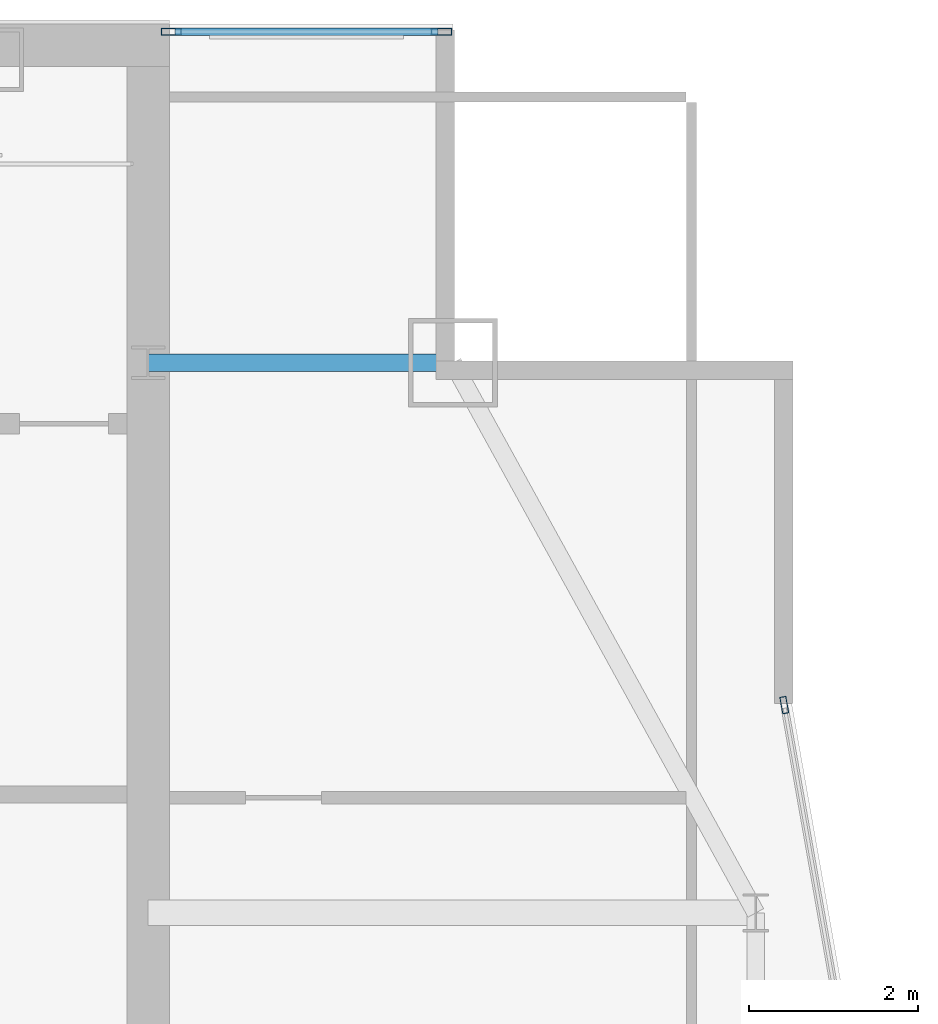
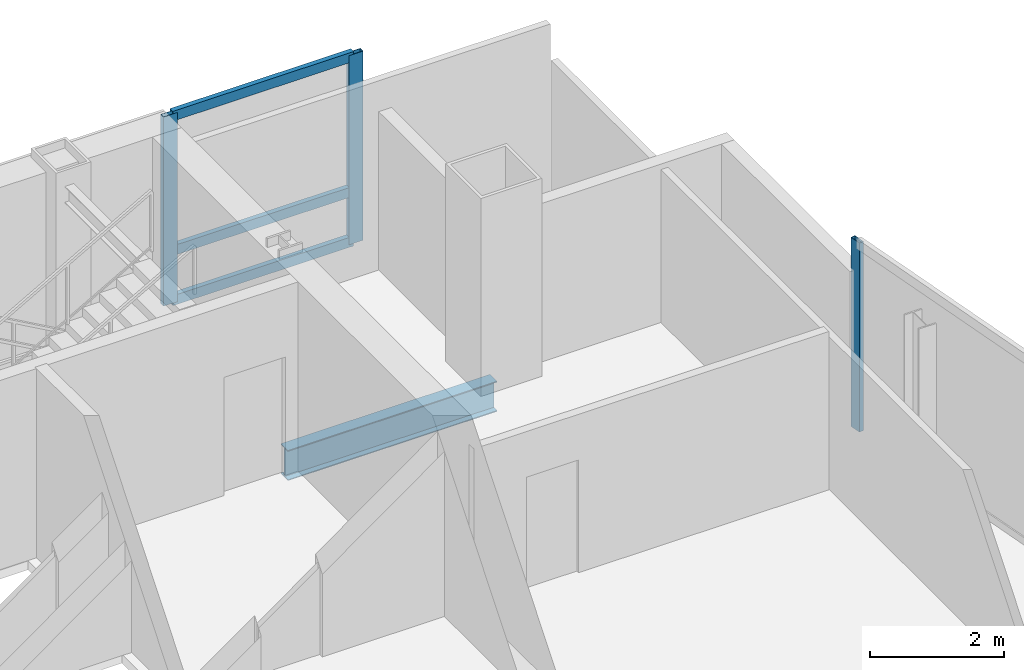
# One storey, part 23 of 30: 6 members, 1 beam, 2 elements without a shape of their own.
"""IFC4 building model written with IfcOpenShell, lengths in metres."""

from ifc_helpers import new_model, si_unit, direction, frame, origin, origin_2d, place, context, subcontext, project, spatial, hollow_rectangle, i_section, extrude, material, material_profile, profile_set, type_object, element, aggregate, save


model = new_model("IFC4")

# Units and contexts
model_context = context("Model", 3, precision=1e-05, world=origin(), true_north=direction((0.0, 1.0)))
body_context = subcontext(model_context, "Body", "Model", "MODEL_VIEW")
ifc_project = project(units=[si_unit("LENGTHUNIT", "METRE"), si_unit("AREAUNIT", "SQUARE_METRE"), si_unit("VOLUMEUNIT", "CUBIC_METRE"), si_unit("PLANEANGLEUNIT", "RADIAN"), si_unit("MASSUNIT", "GRAM", prefix="KILO")], contexts=[model_context])

# Site, building, storey
site_placement = place(None, origin())
site = spatial("IfcSite", under=ifc_project, at=site_placement, CompositionType="ELEMENT")
building_placement = place(site_placement, origin())
building = spatial("IfcBuilding", under=site, at=building_placement, Name="Khoronbel Lancet Exchange", CompositionType="ELEMENT")
storey_placement = place(building_placement, frame((0.0, 0.0, 277.0)))
storey = spatial("IfcBuildingStorey", under=building, at=storey_placement, Name="L71", CompositionType="ELEMENT", Elevation=277.0)

# Beam
ifc_material_1 = material(Name="Steel S355", Category="steel")
ifc_material_profile_1 = material_profile(ifc_material_1, i_section(OverallWidth=0.2099609375, OverallDepth=0.550048828125, WebThickness=0.010986328125, FlangeThickness=0.01708984375, at=origin_2d()), Name="IPE 550")
ifc_profile_set_1 = profile_set([ifc_material_profile_1], Name="Steel S355")
beam_type = type_object("IfcBeamType", Name="BM-BSP3", PredefinedType="SPANDREL", material=ifc_profile_set_1)
beam_placement = place(storey_placement, frame((60.050048828125, 49.699951171875, -0.43505859375), z_axis=(-1.0, 0.0, 0.0), x_axis=(0.0, -1.0, 0.0)))
element("IfcBeam", 1, at=beam_placement, inside=storey, type_object=beam_type, Name="Level L71 north flank tie spandrel SP23", PredefinedType="SPANDREL", context=body_context, shape_type="SweptSolid", body=[
    extrude(i_section(OverallWidth=0.2099609375, OverallDepth=0.550048828125, WebThickness=0.010986328125, FlangeThickness=0.01708984375, at=origin_2d()), origin(), (0.0, 0.0, 1.0), 3.60009765625),
])

# Curtain wall, members
ifc_material_2 = material(Name="Low-E Solar Control Insulating Glass", Category="glass")
curtain_wall_type_1 = type_object("IfcCurtainWallType", Name="CW-3", PredefinedType="NOTDEFINED", material=ifc_material_2)
curtain_wall_1_placement = place(storey_placement, origin())
curtain_wall_1 = element("IfcCurtainWall", 2, at=curtain_wall_1_placement, inside=storey, type_object=curtain_wall_type_1, Name="Unitised curtain wall CW-L71-NEFLK", PredefinedType="NOTDEFINED")
ifc_material_3 = material(Name="Bronze-Anodised Aluminium 6063-T6", Category="aluminium")
ifc_material_profile_2 = material_profile(ifc_material_3, hollow_rectangle(XDim=0.0849609375, YDim=0.239990234375, WallThickness=0.006103515625, at=origin_2d()), Name="ALU MULLION 85x240")
ifc_profile_set_2 = profile_set([ifc_material_profile_2], Name="Bronze-Anodised Aluminium 6063-T6")
member_type_1 = type_object("IfcMemberType", Name="MEM-CWM1", PredefinedType="MULLION", material=ifc_profile_set_2)
member_1_placement = place(storey_placement, frame((59.91748046875, 53.610107421875, 0.0), z_axis=(0.0, 0.0, 1.0), x_axis=(0.0, -1.0, 0.0)))
member_1 = element("IfcMember", 3, at=member_1_placement, type_object=member_type_1, Name="CW3 mullion 1", PredefinedType="MULLION", context=body_context, shape_type="SweptSolid", body=[
    extrude(hollow_rectangle(XDim=0.0849609375, YDim=0.239990234375, WallThickness=0.006103515625, at=origin_2d()), origin(), (0.0, 0.0, 1.0), 3.43994140625),
])
member_2_placement = place(storey_placement, frame((56.722412109375, 53.610107421875, 0.0), z_axis=(0.0, 0.0, 1.0), x_axis=(0.0, -1.0, 0.0)))
member_2 = element("IfcMember", 4, at=member_2_placement, type_object=member_type_1, Name="CW3 mullion 2", PredefinedType="MULLION", context=body_context, shape_type="SweptSolid", body=[
    extrude(hollow_rectangle(XDim=0.0849609375, YDim=0.239990234375, WallThickness=0.006103515625, at=origin_2d()), origin(), (0.0, 0.0, 1.0), 3.43994140625),
])

# Curtain wall, member
curtain_wall_type_2 = type_object("IfcCurtainWallType", Name="CW-4", PredefinedType="NOTDEFINED", material=ifc_material_2)
curtain_wall_2_placement = place(storey_placement, origin())
curtain_wall_2 = element("IfcCurtainWall", 5, at=curtain_wall_2_placement, inside=storey, type_object=curtain_wall_type_2, Name="Unitised curtain wall CW-L71-E17", PredefinedType="NOTDEFINED")
ifc_material_profile_3 = material_profile(ifc_material_3, hollow_rectangle(XDim=0.074951171875, YDim=0.199951171875, WallThickness=0.0048828125, at=origin_2d()), Name="ALU MULLION 75x200")
ifc_profile_set_3 = profile_set([ifc_material_profile_3], Name="Bronze-Anodised Aluminium 6063-T6")
member_type_2 = type_object("IfcMemberType", Name="MEM-CWM2", PredefinedType="MULLION", material=ifc_profile_set_3)
member_3_placement = place(storey_placement, frame((63.966552734375, 45.6552734375, 0.0), z_axis=(0.0, 0.0, 1.0), x_axis=(0.984792104729, 0.173736900118, 0.0)))
member_3 = element("IfcMember", 6, at=member_3_placement, type_object=member_type_2, Name="CW4 mullion 1", PredefinedType="MULLION", context=body_context, shape_type="SweptSolid", body=[
    extrude(hollow_rectangle(XDim=0.074951171875, YDim=0.199951171875, WallThickness=0.0048828125, at=origin_2d()), origin(), (0.0, 0.0, 1.0), 3.43994140625),
])
aggregate(curtain_wall_2, [member_3])

# Member
ifc_material_profile_4 = material_profile(ifc_material_3, hollow_rectangle(XDim=0.0849609375, YDim=0.179931640625, WallThickness=0.0048828125, at=origin_2d()), Name="ALU TRANSOM 85x180")
ifc_profile_set_4 = profile_set([ifc_material_profile_4], Name="Bronze-Anodised Aluminium 6063-T6")
member_type_3 = type_object("IfcMemberType", Name="MEM-CWT1", PredefinedType="USERDEFINED", material=ifc_profile_set_4)
member_4_placement = place(storey_placement, frame((59.875, 53.610107421875, 0.04248046875), z_axis=(-1.0, 0.0, 0.0), x_axis=(0.0, -1.0, 0.0)))
member_4 = element("IfcMember", 7, at=member_4_placement, type_object=member_type_3, Name="CW3 transom 1.1", ObjectType="TRANSOM", PredefinedType="USERDEFINED", context=body_context, shape_type="SweptSolid", body=[
    extrude(hollow_rectangle(XDim=0.0849609375, YDim=0.179931640625, WallThickness=0.0048828125, at=origin_2d()), origin(), (0.0, 0.0, 1.0), 3.110107421875),
])

member_5_placement = place(storey_placement, frame((59.875, 53.610107421875, 0.949951171875), z_axis=(-1.0, 0.0, 0.0), x_axis=(0.0, -1.0, 0.0)))
member_5 = element("IfcMember", 8, at=member_5_placement, type_object=member_type_3, Name="CW3 transom 1.2", ObjectType="TRANSOM", PredefinedType="USERDEFINED", context=body_context, shape_type="SweptSolid", body=[
    extrude(hollow_rectangle(XDim=0.0849609375, YDim=0.179931640625, WallThickness=0.0048828125, at=origin_2d()), origin(), (0.0, 0.0, 1.0), 3.110107421875),
])

member_6_placement = place(storey_placement, frame((59.875, 53.610107421875, 3.3974609375), z_axis=(-1.0, 0.0, 0.0), x_axis=(0.0, -1.0, 0.0)))
member_6 = element("IfcMember", 9, at=member_6_placement, type_object=member_type_3, Name="CW3 transom 1.3", ObjectType="TRANSOM", PredefinedType="USERDEFINED", context=body_context, shape_type="SweptSolid", body=[
    extrude(hollow_rectangle(XDim=0.0849609375, YDim=0.179931640625, WallThickness=0.0048828125, at=origin_2d()), origin(), (0.0, 0.0, 1.0), 3.110107421875),
])

aggregate(curtain_wall_1, [member_1, member_2, member_4, member_5, member_6])

save(model, "model.ifc")
